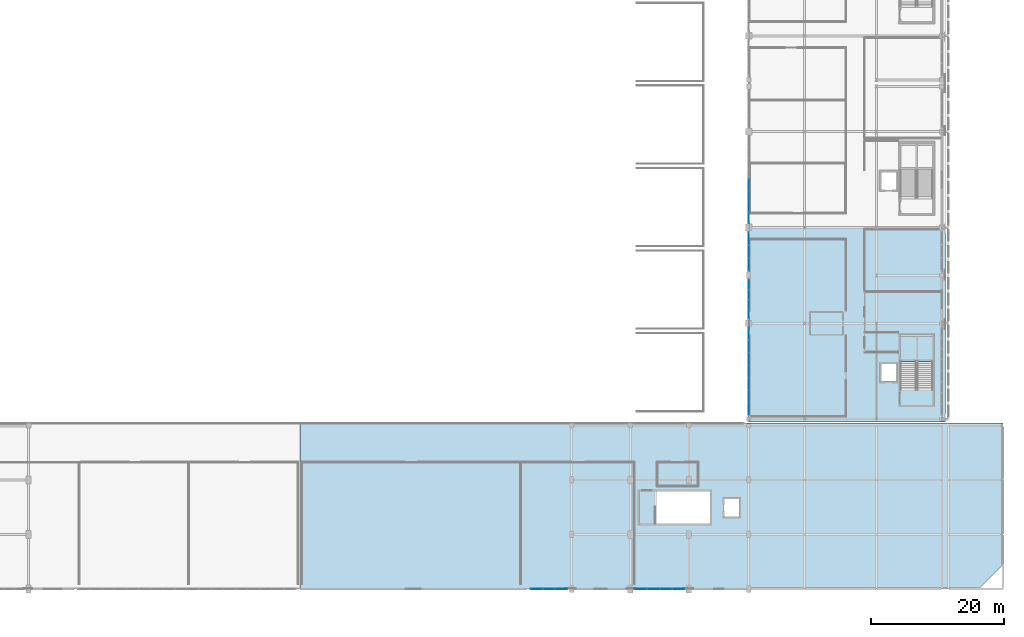
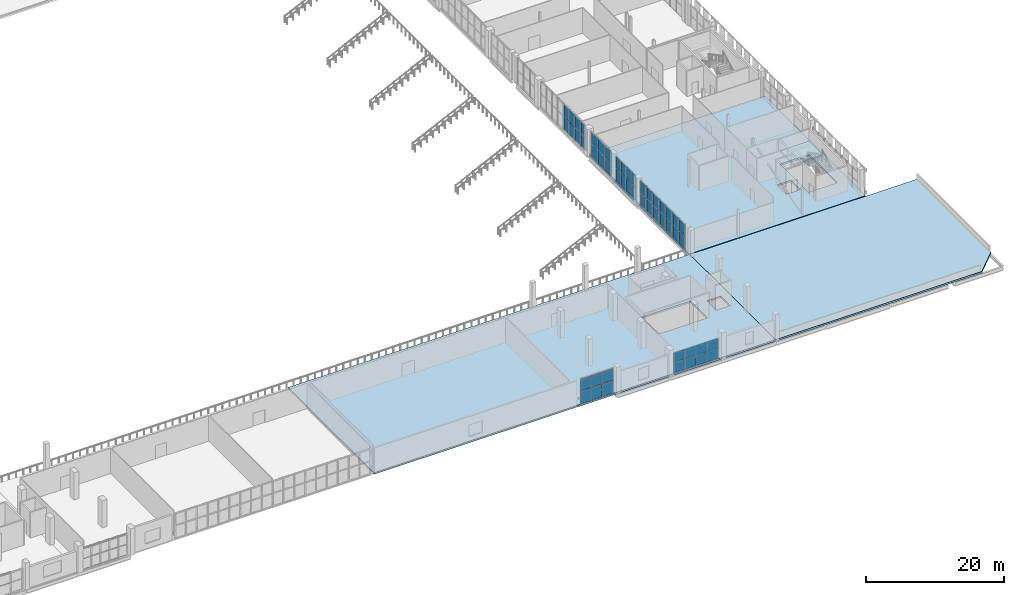
# One storey, part 57 of 104: 50 plates, 4 slabs, 7 elements without a shape of their own.
"""IFC4 building model written with IfcOpenShell, lengths in metres."""

from ifc_helpers import new_model, si_unit, direction, frame, origin, origin_2d, place, context, subcontext, project, spatial, polyline, rectangle, outline, extrude, material, layer, layer_set, type_object, element, aggregate, save


model = new_model("IFC4")

# Units and contexts
model_context = context("Model", 3, precision=1e-05, world=origin(), true_north=direction((0.0, 1.0)))
body_context = subcontext(model_context, "Body", "Model", "MODEL_VIEW")
ifc_project = project(units=[si_unit("LENGTHUNIT", "METRE"), si_unit("AREAUNIT", "SQUARE_METRE"), si_unit("VOLUMEUNIT", "CUBIC_METRE"), si_unit("PLANEANGLEUNIT", "RADIAN"), si_unit("MASSUNIT", "GRAM", prefix="KILO")], contexts=[model_context])

# Site, building, storey
site_placement = place(None, origin())
site = spatial("IfcSite", under=ifc_project, at=site_placement, CompositionType="ELEMENT")
building_placement = place(site_placement, origin())
building = spatial("IfcBuilding", under=site, at=building_placement, Name="Koshinbarg Plaza Stadium", CompositionType="ELEMENT")
storey_placement = place(building_placement, frame((0.0, 0.0, 19.800048828125)))
storey = spatial("IfcBuildingStorey", under=building, at=storey_placement, Name="L04", CompositionType="ELEMENT", Elevation=19.800048828125)

# Curtain wall, plates
ifc_material_1 = material(Name="Thermally broken anodised aluminium and low-E double glazing", Category="aluminium")
curtain_wall_type_1 = type_object("IfcCurtainWallType", Name="CW-SYS-11", PredefinedType="NOTDEFINED", material=ifc_material_1)
curtain_wall_1_placement = place(storey_placement, origin())
curtain_wall_1 = element("IfcCurtainWall", 1, at=curtain_wall_1_placement, inside=storey, type_object=curtain_wall_type_1, Name="L04 unitised curtain wall CW-L04-106", PredefinedType="NOTDEFINED")
ifc_material_2 = material(Name="Solar-control low-E double glazing unit", Category="glass")
ifc_layer_1 = layer(ifc_material_2, 0.028076171875)
ifc_layer_set_1 = layer_set([ifc_layer_1], Name="Solar-control low-E double glazing unit")
plate_type_1 = type_object("IfcPlateType", Name="CW-PNL-28", PredefinedType="CURTAIN_PANEL", material=ifc_layer_set_1)
plate_1_placement = place(storey_placement, frame((161.23828125, 0.0, 0.06005859375), z_axis=(0.0, 0.0, 1.0), x_axis=(-1.0, 0.0, 0.0)))
plate_1 = element("IfcPlate", 2, at=plate_1_placement, type_object=plate_type_1, Name="CW11 panel 1.1", PredefinedType="CURTAIN_PANEL", context=body_context, shape_type="SweptSolid", body=[
    extrude(rectangle(XDim=1.763427734375, YDim=0.028076171875, at=origin_2d()), origin(), (0.0, 0.0, 1.0), 2.239501953125),
])
plate_2_placement = place(storey_placement, frame((161.23828125, 0.0, 2.359375), z_axis=(0.0, 0.0, 1.0), x_axis=(-1.0, 0.0, 0.0)))
plate_2 = element("IfcPlate", 3, at=plate_2_placement, type_object=plate_type_1, Name="CW11 panel 1.2", PredefinedType="CURTAIN_PANEL", context=body_context, shape_type="SweptSolid", body=[
    extrude(rectangle(XDim=1.763427734375, YDim=0.028076171875, at=origin_2d()), origin(), (0.0, 0.0, 1.0), 2.060302734375),
])
plate_3_placement = place(storey_placement, frame((159.39990234375, 0.0, 0.06005859375), z_axis=(0.0, 0.0, 1.0), x_axis=(-1.0, 0.0, 0.0)))
plate_3 = element("IfcPlate", 4, at=plate_3_placement, type_object=plate_type_1, Name="CW11 panel 2.1", PredefinedType="CURTAIN_PANEL", context=body_context, shape_type="SweptSolid", body=[
    extrude(rectangle(XDim=1.793212890625, YDim=0.028076171875, at=origin_2d()), origin(), (0.0, 0.0, 1.0), 2.239501953125),
])
plate_4_placement = place(storey_placement, frame((159.39990234375, 0.0, 2.359375), z_axis=(0.0, 0.0, 1.0), x_axis=(-1.0, 0.0, 0.0)))
plate_4 = element("IfcPlate", 5, at=plate_4_placement, type_object=plate_type_1, Name="CW11 panel 2.2", PredefinedType="CURTAIN_PANEL", context=body_context, shape_type="SweptSolid", body=[
    extrude(rectangle(XDim=1.793212890625, YDim=0.028076171875, at=origin_2d()), origin(), (0.0, 0.0, 1.0), 2.060302734375),
])
plate_5_placement = place(storey_placement, frame((157.561767578125, 0.0, 0.06005859375), z_axis=(0.0, 0.0, 1.0), x_axis=(-1.0, 0.0, 0.0)))
plate_5 = element("IfcPlate", 6, at=plate_5_placement, type_object=plate_type_1, Name="CW11 panel 3.1", PredefinedType="CURTAIN_PANEL", context=body_context, shape_type="SweptSolid", body=[
    extrude(rectangle(XDim=1.763427734375, YDim=0.028076171875, at=origin_2d()), origin(), (0.0, 0.0, 1.0), 2.239501953125),
])
plate_6_placement = place(storey_placement, frame((157.561767578125, 0.0, 2.359375), z_axis=(0.0, 0.0, 1.0), x_axis=(-1.0, 0.0, 0.0)))
plate_6 = element("IfcPlate", 7, at=plate_6_placement, type_object=plate_type_1, Name="CW11 panel 3.2", PredefinedType="CURTAIN_PANEL", context=body_context, shape_type="SweptSolid", body=[
    extrude(rectangle(XDim=1.763427734375, YDim=0.028076171875, at=origin_2d()), origin(), (0.0, 0.0, 1.0), 2.060302734375),
])
aggregate(curtain_wall_1, [plate_1, plate_2, plate_3, plate_4, plate_5, plate_6])

curtain_wall_2_placement = place(storey_placement, origin())
curtain_wall_2 = element("IfcCurtainWall", 8, at=curtain_wall_2_placement, inside=storey, type_object=curtain_wall_type_1, Name="L04 unitised curtain wall CW-L04-122", PredefinedType="NOTDEFINED")
plate_7_placement = place(storey_placement, frame((189.39990234375, 41.280029296875, 0.06005859375), z_axis=(0.0, 0.0, 1.0), x_axis=(0.0, 1.0, 0.0)))
plate_7 = element("IfcPlate", 9, at=plate_7_placement, type_object=plate_type_1, Name="CW11 panel 1.1", PredefinedType="CURTAIN_PANEL", context=body_context, shape_type="SweptSolid", body=[
    extrude(rectangle(XDim=1.39990234375, YDim=0.028076171875, at=origin_2d()), origin(), (0.0, 0.0, 1.0), 2.239501953125),
])
plate_8_placement = place(storey_placement, frame((189.39990234375, 41.280029296875, 2.359375), z_axis=(0.0, 0.0, 1.0), x_axis=(0.0, 1.0, 0.0)))
plate_8 = element("IfcPlate", 10, at=plate_8_placement, type_object=plate_type_1, Name="CW11 panel 1.2", PredefinedType="CURTAIN_PANEL", context=body_context, shape_type="SweptSolid", body=[
    extrude(rectangle(XDim=1.39990234375, YDim=0.028076171875, at=origin_2d()), origin(), (0.0, 0.0, 1.0), 2.060302734375),
])
plate_9_placement = place(storey_placement, frame((189.39990234375, 42.7548828125, 0.06005859375), z_axis=(0.0, 0.0, 1.0), x_axis=(0.0, 1.0, 0.0)))
plate_9 = element("IfcPlate", 11, at=plate_9_placement, type_object=plate_type_1, Name="CW11 panel 2.1", PredefinedType="CURTAIN_PANEL", context=body_context, shape_type="SweptSolid", body=[
    extrude(rectangle(XDim=1.429931640625, YDim=0.028076171875, at=origin_2d()), origin(), (0.0, 0.0, 1.0), 2.239501953125),
])
plate_10_placement = place(storey_placement, frame((189.39990234375, 42.7548828125, 2.359375), z_axis=(0.0, 0.0, 1.0), x_axis=(0.0, 1.0, 0.0)))
plate_10 = element("IfcPlate", 12, at=plate_10_placement, type_object=plate_type_1, Name="CW11 panel 2.2", PredefinedType="CURTAIN_PANEL", context=body_context, shape_type="SweptSolid", body=[
    extrude(rectangle(XDim=1.429931640625, YDim=0.028076171875, at=origin_2d()), origin(), (0.0, 0.0, 1.0), 2.060302734375),
])
plate_11_placement = place(storey_placement, frame((189.39990234375, 44.2451171875, 0.06005859375), z_axis=(0.0, 0.0, 1.0), x_axis=(0.0, 1.0, 0.0)))
plate_11 = element("IfcPlate", 13, at=plate_11_placement, type_object=plate_type_1, Name="CW11 panel 3.1", PredefinedType="CURTAIN_PANEL", context=body_context, shape_type="SweptSolid", body=[
    extrude(rectangle(XDim=1.429931640625, YDim=0.028076171875, at=origin_2d()), origin(), (0.0, 0.0, 1.0), 2.239501953125),
])
plate_12_placement = place(storey_placement, frame((189.39990234375, 44.2451171875, 2.359375), z_axis=(0.0, 0.0, 1.0), x_axis=(0.0, 1.0, 0.0)))
plate_12 = element("IfcPlate", 14, at=plate_12_placement, type_object=plate_type_1, Name="CW11 panel 3.2", PredefinedType="CURTAIN_PANEL", context=body_context, shape_type="SweptSolid", body=[
    extrude(rectangle(XDim=1.429931640625, YDim=0.028076171875, at=origin_2d()), origin(), (0.0, 0.0, 1.0), 2.060302734375),
])
plate_13_placement = place(storey_placement, frame((189.39990234375, 45.719970703125, 0.06005859375), z_axis=(0.0, 0.0, 1.0), x_axis=(0.0, 1.0, 0.0)))
plate_13 = element("IfcPlate", 15, at=plate_13_placement, type_object=plate_type_1, Name="CW11 panel 4.1", PredefinedType="CURTAIN_PANEL", context=body_context, shape_type="SweptSolid", body=[
    extrude(rectangle(XDim=1.39990234375, YDim=0.028076171875, at=origin_2d()), origin(), (0.0, 0.0, 1.0), 2.239501953125),
])
plate_14_placement = place(storey_placement, frame((189.39990234375, 45.719970703125, 2.359375), z_axis=(0.0, 0.0, 1.0), x_axis=(0.0, 1.0, 0.0)))
plate_14 = element("IfcPlate", 16, at=plate_14_placement, type_object=plate_type_1, Name="CW11 panel 4.2", PredefinedType="CURTAIN_PANEL", context=body_context, shape_type="SweptSolid", body=[
    extrude(rectangle(XDim=1.39990234375, YDim=0.028076171875, at=origin_2d()), origin(), (0.0, 0.0, 1.0), 2.060302734375),
])
aggregate(curtain_wall_2, [plate_7, plate_8, plate_9, plate_10, plate_11, plate_12, plate_13, plate_14])

curtain_wall_type_2 = type_object("IfcCurtainWallType", Name="CW-SYS-13", PredefinedType="NOTDEFINED", material=ifc_material_1)
curtain_wall_3_placement = place(storey_placement, origin())
curtain_wall_3 = element("IfcCurtainWall", 17, at=curtain_wall_3_placement, inside=storey, type_object=curtain_wall_type_2, Name="L04 unitised curtain wall CW-L04-124", PredefinedType="NOTDEFINED")
plate_15_placement = place(storey_placement, frame((189.39990234375, 55.757568359375, 0.06005859375), z_axis=(0.0, 0.0, 1.0), x_axis=(0.0, 1.0, 0.0)))
plate_15 = element("IfcPlate", 18, at=plate_15_placement, type_object=plate_type_1, Name="CW13 panel 1.1", PredefinedType="CURTAIN_PANEL", context=body_context, shape_type="SweptSolid", body=[
    extrude(rectangle(XDim=1.554931640625, YDim=0.028076171875, at=origin_2d()), origin(), (0.0, 0.0, 1.0), 2.239501953125),
])
plate_16_placement = place(storey_placement, frame((189.39990234375, 55.757568359375, 2.359375), z_axis=(0.0, 0.0, 1.0), x_axis=(0.0, 1.0, 0.0)))
plate_16 = element("IfcPlate", 19, at=plate_16_placement, type_object=plate_type_1, Name="CW13 panel 1.2", PredefinedType="CURTAIN_PANEL", context=body_context, shape_type="SweptSolid", body=[
    extrude(rectangle(XDim=1.554931640625, YDim=0.028076171875, at=origin_2d()), origin(), (0.0, 0.0, 1.0), 2.060302734375),
])
plate_17_placement = place(storey_placement, frame((189.39990234375, 57.387451171875, 0.06005859375), z_axis=(0.0, 0.0, 1.0), x_axis=(0.0, 1.0, 0.0)))
plate_17 = element("IfcPlate", 20, at=plate_17_placement, type_object=plate_type_1, Name="CW13 panel 2.1", PredefinedType="CURTAIN_PANEL", context=body_context, shape_type="SweptSolid", body=[
    extrude(rectangle(XDim=1.5849609375, YDim=0.028076171875, at=origin_2d()), origin(), (0.0, 0.0, 1.0), 2.239501953125),
])
plate_18_placement = place(storey_placement, frame((189.39990234375, 57.387451171875, 2.359375), z_axis=(0.0, 0.0, 1.0), x_axis=(0.0, 1.0, 0.0)))
plate_18 = element("IfcPlate", 21, at=plate_18_placement, type_object=plate_type_1, Name="CW13 panel 2.2", PredefinedType="CURTAIN_PANEL", context=body_context, shape_type="SweptSolid", body=[
    extrude(rectangle(XDim=1.5849609375, YDim=0.028076171875, at=origin_2d()), origin(), (0.0, 0.0, 1.0), 2.060302734375),
])
plate_19_placement = place(storey_placement, frame((189.39990234375, 59.032470703125, 0.06005859375), z_axis=(0.0, 0.0, 1.0), x_axis=(0.0, 1.0, 0.0)))
plate_19 = element("IfcPlate", 22, at=plate_19_placement, type_object=plate_type_1, Name="CW13 panel 3.1", PredefinedType="CURTAIN_PANEL", context=body_context, shape_type="SweptSolid", body=[
    extrude(rectangle(XDim=1.5849609375, YDim=0.028076171875, at=origin_2d()), origin(), (0.0, 0.0, 1.0), 2.239501953125),
])
plate_20_placement = place(storey_placement, frame((189.39990234375, 59.032470703125, 2.359375), z_axis=(0.0, 0.0, 1.0), x_axis=(0.0, 1.0, 0.0)))
plate_20 = element("IfcPlate", 23, at=plate_20_placement, type_object=plate_type_1, Name="CW13 panel 3.2", PredefinedType="CURTAIN_PANEL", context=body_context, shape_type="SweptSolid", body=[
    extrude(rectangle(XDim=1.5849609375, YDim=0.028076171875, at=origin_2d()), origin(), (0.0, 0.0, 1.0), 2.060302734375),
])
plate_21_placement = place(storey_placement, frame((189.39990234375, 60.677490234375, 0.06005859375), z_axis=(0.0, 0.0, 1.0), x_axis=(0.0, 1.0, 0.0)))
plate_21 = element("IfcPlate", 24, at=plate_21_placement, type_object=plate_type_1, Name="CW13 panel 4.1", PredefinedType="CURTAIN_PANEL", context=body_context, shape_type="SweptSolid", body=[
    extrude(rectangle(XDim=1.5849609375, YDim=0.028076171875, at=origin_2d()), origin(), (0.0, 0.0, 1.0), 2.239501953125),
])
plate_22_placement = place(storey_placement, frame((189.39990234375, 60.677490234375, 2.359375), z_axis=(0.0, 0.0, 1.0), x_axis=(0.0, 1.0, 0.0)))
plate_22 = element("IfcPlate", 25, at=plate_22_placement, type_object=plate_type_1, Name="CW13 panel 4.2", PredefinedType="CURTAIN_PANEL", context=body_context, shape_type="SweptSolid", body=[
    extrude(rectangle(XDim=1.5849609375, YDim=0.028076171875, at=origin_2d()), origin(), (0.0, 0.0, 1.0), 2.060302734375),
])
aggregate(curtain_wall_3, [plate_15, plate_16, plate_17, plate_18, plate_19, plate_20, plate_21, plate_22])

curtain_wall_type_3 = type_object("IfcCurtainWallType", Name="CW-SYS-10", PredefinedType="NOTDEFINED", material=ifc_material_1)
curtain_wall_4_placement = place(storey_placement, origin())
curtain_wall_4 = element("IfcCurtainWall", 26, at=curtain_wall_4_placement, inside=storey, type_object=curtain_wall_type_3, Name="L04 unitised curtain wall CW-L04-105", PredefinedType="NOTDEFINED")
ifc_material_3 = material(Name="Acoustic solar-control double glazing unit", Category="glass")
ifc_layer_2 = layer(ifc_material_3, 0.031982421875)
ifc_layer_set_2 = layer_set([ifc_layer_2], Name="Acoustic solar-control double glazing unit")
plate_type_2 = type_object("IfcPlateType", Name="CW-PNL-32", PredefinedType="CURTAIN_PANEL", material=ifc_layer_set_2)
plate_23_placement = place(storey_placement, frame((178.820068359375, 0.0, 0.06005859375), z_axis=(0.0, 0.0, 1.0), x_axis=(-1.0, 0.0, 0.0)))
plate_23 = element("IfcPlate", 27, at=plate_23_placement, type_object=plate_type_2, Name="CW10 panel 1.1", PredefinedType="CURTAIN_PANEL", context=body_context, shape_type="SweptSolid", body=[
    extrude(rectangle(XDim=1.800048828125, YDim=0.031982421875, at=origin_2d()), origin(), (0.0, 0.0, 1.0), 1.823486328125),
])
plate_24_placement = place(storey_placement, frame((178.820068359375, 0.0, 1.943359375), z_axis=(0.0, 0.0, 1.0), x_axis=(-1.0, 0.0, 0.0)))
plate_24 = element("IfcPlate", 28, at=plate_24_placement, type_object=plate_type_2, Name="CW10 panel 1.2", PredefinedType="CURTAIN_PANEL", context=body_context, shape_type="SweptSolid", body=[
    extrude(rectangle(XDim=1.800048828125, YDim=0.031982421875, at=origin_2d()), origin(), (0.0, 0.0, 1.0), 1.676513671875),
])
plate_25_placement = place(storey_placement, frame((176.945068359375, 0.0, 0.06005859375), z_axis=(0.0, 0.0, 1.0), x_axis=(-1.0, 0.0, 0.0)))
plate_25 = element("IfcPlate", 29, at=plate_25_placement, type_object=plate_type_2, Name="CW10 panel 2.1", PredefinedType="CURTAIN_PANEL", context=body_context, shape_type="SweptSolid", body=[
    extrude(rectangle(XDim=1.830078125, YDim=0.031982421875, at=origin_2d()), origin(), (0.0, 0.0, 1.0), 1.823486328125),
])
plate_26_placement = place(storey_placement, frame((176.945068359375, 0.0, 1.943359375), z_axis=(0.0, 0.0, 1.0), x_axis=(-1.0, 0.0, 0.0)))
plate_26 = element("IfcPlate", 30, at=plate_26_placement, type_object=plate_type_2, Name="CW10 panel 2.2", PredefinedType="CURTAIN_PANEL", context=body_context, shape_type="SweptSolid", body=[
    extrude(rectangle(XDim=1.830078125, YDim=0.031982421875, at=origin_2d()), origin(), (0.0, 0.0, 1.0), 1.676513671875),
])
plate_27_placement = place(storey_placement, frame((175.054931640625, 0.0, 0.06005859375), z_axis=(0.0, 0.0, 1.0), x_axis=(-1.0, 0.0, 0.0)))
plate_27 = element("IfcPlate", 31, at=plate_27_placement, type_object=plate_type_2, Name="CW10 panel 3.1", PredefinedType="CURTAIN_PANEL", context=body_context, shape_type="SweptSolid", body=[
    extrude(rectangle(XDim=1.830078125, YDim=0.031982421875, at=origin_2d()), origin(), (0.0, 0.0, 1.0), 1.823486328125),
])
plate_28_placement = place(storey_placement, frame((175.054931640625, 0.0, 1.943359375), z_axis=(0.0, 0.0, 1.0), x_axis=(-1.0, 0.0, 0.0)))
plate_28 = element("IfcPlate", 32, at=plate_28_placement, type_object=plate_type_2, Name="CW10 panel 3.2", PredefinedType="CURTAIN_PANEL", context=body_context, shape_type="SweptSolid", body=[
    extrude(rectangle(XDim=1.830078125, YDim=0.031982421875, at=origin_2d()), origin(), (0.0, 0.0, 1.0), 1.676513671875),
])
plate_29_placement = place(storey_placement, frame((173.179931640625, 0.0, 0.06005859375), z_axis=(0.0, 0.0, 1.0), x_axis=(-1.0, 0.0, 0.0)))
plate_29 = element("IfcPlate", 33, at=plate_29_placement, type_object=plate_type_2, Name="CW10 panel 4.1", PredefinedType="CURTAIN_PANEL", context=body_context, shape_type="SweptSolid", body=[
    extrude(rectangle(XDim=1.800048828125, YDim=0.031982421875, at=origin_2d()), origin(), (0.0, 0.0, 1.0), 1.823486328125),
])
plate_30_placement = place(storey_placement, frame((173.179931640625, 0.0, 1.943359375), z_axis=(0.0, 0.0, 1.0), x_axis=(-1.0, 0.0, 0.0)))
plate_30 = element("IfcPlate", 34, at=plate_30_placement, type_object=plate_type_2, Name="CW10 panel 4.2", PredefinedType="CURTAIN_PANEL", context=body_context, shape_type="SweptSolid", body=[
    extrude(rectangle(XDim=1.800048828125, YDim=0.031982421875, at=origin_2d()), origin(), (0.0, 0.0, 1.0), 1.676513671875),
])
aggregate(curtain_wall_4, [plate_23, plate_24, plate_25, plate_26, plate_27, plate_28, plate_29, plate_30])

curtain_wall_5_placement = place(storey_placement, origin())
curtain_wall_5 = element("IfcCurtainWall", 35, at=curtain_wall_5_placement, inside=storey, type_object=curtain_wall_type_3, Name="L04 unitised curtain wall CW-L04-121", PredefinedType="NOTDEFINED")
plate_31_placement = place(storey_placement, frame((189.39990234375, 27.074951171875, 0.06005859375), z_axis=(0.0, 0.0, 1.0), x_axis=(0.0, 1.0, 0.0)))
plate_31 = element("IfcPlate", 36, at=plate_31_placement, type_object=plate_type_2, Name="CW10 panel 1.1", PredefinedType="CURTAIN_PANEL", context=body_context, shape_type="SweptSolid", body=[
    extrude(rectangle(XDim=1.7900390625, YDim=0.031982421875, at=origin_2d()), origin(), (0.0, 0.0, 1.0), 2.239501953125),
])
plate_32_placement = place(storey_placement, frame((189.39990234375, 27.074951171875, 2.359375), z_axis=(0.0, 0.0, 1.0), x_axis=(0.0, 1.0, 0.0)))
plate_32 = element("IfcPlate", 37, at=plate_32_placement, type_object=plate_type_2, Name="CW10 panel 1.2", PredefinedType="CURTAIN_PANEL", context=body_context, shape_type="SweptSolid", body=[
    extrude(rectangle(XDim=1.7900390625, YDim=0.031982421875, at=origin_2d()), origin(), (0.0, 0.0, 1.0), 2.060302734375),
])
plate_33_placement = place(storey_placement, frame((189.39990234375, 28.93994140625, 0.06005859375), z_axis=(0.0, 0.0, 1.0), x_axis=(0.0, 1.0, 0.0)))
plate_33 = element("IfcPlate", 38, at=plate_33_placement, type_object=plate_type_2, Name="CW10 panel 2.1", PredefinedType="CURTAIN_PANEL", context=body_context, shape_type="SweptSolid", body=[
    extrude(rectangle(XDim=1.820068359375, YDim=0.031982421875, at=origin_2d()), origin(), (0.0, 0.0, 1.0), 2.239501953125),
])
plate_34_placement = place(storey_placement, frame((189.39990234375, 28.93994140625, 2.359375), z_axis=(0.0, 0.0, 1.0), x_axis=(0.0, 1.0, 0.0)))
plate_34 = element("IfcPlate", 39, at=plate_34_placement, type_object=plate_type_2, Name="CW10 panel 2.2", PredefinedType="CURTAIN_PANEL", context=body_context, shape_type="SweptSolid", body=[
    extrude(rectangle(XDim=1.820068359375, YDim=0.031982421875, at=origin_2d()), origin(), (0.0, 0.0, 1.0), 2.060302734375),
])
plate_35_placement = place(storey_placement, frame((189.39990234375, 30.820068359375, 0.06005859375), z_axis=(0.0, 0.0, 1.0), x_axis=(0.0, 1.0, 0.0)))
plate_35 = element("IfcPlate", 40, at=plate_35_placement, type_object=plate_type_2, Name="CW10 panel 3.1", PredefinedType="CURTAIN_PANEL", context=body_context, shape_type="SweptSolid", body=[
    extrude(rectangle(XDim=1.820068359375, YDim=0.031982421875, at=origin_2d()), origin(), (0.0, 0.0, 1.0), 2.239501953125),
])
plate_36_placement = place(storey_placement, frame((189.39990234375, 30.820068359375, 2.359375), z_axis=(0.0, 0.0, 1.0), x_axis=(0.0, 1.0, 0.0)))
plate_36 = element("IfcPlate", 41, at=plate_36_placement, type_object=plate_type_2, Name="CW10 panel 3.2", PredefinedType="CURTAIN_PANEL", context=body_context, shape_type="SweptSolid", body=[
    extrude(rectangle(XDim=1.820068359375, YDim=0.031982421875, at=origin_2d()), origin(), (0.0, 0.0, 1.0), 2.060302734375),
])
plate_37_placement = place(storey_placement, frame((189.39990234375, 32.699951171875, 0.06005859375), z_axis=(0.0, 0.0, 1.0), x_axis=(0.0, 1.0, 0.0)))
plate_37 = element("IfcPlate", 42, at=plate_37_placement, type_object=plate_type_2, Name="CW10 panel 4.1", PredefinedType="CURTAIN_PANEL", context=body_context, shape_type="SweptSolid", body=[
    extrude(rectangle(XDim=1.820068359375, YDim=0.031982421875, at=origin_2d()), origin(), (0.0, 0.0, 1.0), 2.239501953125),
])
plate_38_placement = place(storey_placement, frame((189.39990234375, 32.699951171875, 2.359375), z_axis=(0.0, 0.0, 1.0), x_axis=(0.0, 1.0, 0.0)))
plate_38 = element("IfcPlate", 43, at=plate_38_placement, type_object=plate_type_2, Name="CW10 panel 4.2", PredefinedType="CURTAIN_PANEL", context=body_context, shape_type="SweptSolid", body=[
    extrude(rectangle(XDim=1.820068359375, YDim=0.031982421875, at=origin_2d()), origin(), (0.0, 0.0, 1.0), 2.060302734375),
])
plate_39_placement = place(storey_placement, frame((189.39990234375, 34.580078125, 0.06005859375), z_axis=(0.0, 0.0, 1.0), x_axis=(0.0, 1.0, 0.0)))
plate_39 = element("IfcPlate", 44, at=plate_39_placement, type_object=plate_type_2, Name="CW10 panel 5.1", PredefinedType="CURTAIN_PANEL", context=body_context, shape_type="SweptSolid", body=[
    extrude(rectangle(XDim=1.820068359375, YDim=0.031982421875, at=origin_2d()), origin(), (0.0, 0.0, 1.0), 2.239501953125),
])
plate_40_placement = place(storey_placement, frame((189.39990234375, 34.580078125, 2.359375), z_axis=(0.0, 0.0, 1.0), x_axis=(0.0, 1.0, 0.0)))
plate_40 = element("IfcPlate", 45, at=plate_40_placement, type_object=plate_type_2, Name="CW10 panel 5.2", PredefinedType="CURTAIN_PANEL", context=body_context, shape_type="SweptSolid", body=[
    extrude(rectangle(XDim=1.820068359375, YDim=0.031982421875, at=origin_2d()), origin(), (0.0, 0.0, 1.0), 2.060302734375),
])
plate_41_placement = place(storey_placement, frame((189.39990234375, 36.4599609375, 0.06005859375), z_axis=(0.0, 0.0, 1.0), x_axis=(0.0, 1.0, 0.0)))
plate_41 = element("IfcPlate", 46, at=plate_41_placement, type_object=plate_type_2, Name="CW10 panel 6.1", PredefinedType="CURTAIN_PANEL", context=body_context, shape_type="SweptSolid", body=[
    extrude(rectangle(XDim=1.820068359375, YDim=0.031982421875, at=origin_2d()), origin(), (0.0, 0.0, 1.0), 2.239501953125),
])
plate_42_placement = place(storey_placement, frame((189.39990234375, 36.4599609375, 2.359375), z_axis=(0.0, 0.0, 1.0), x_axis=(0.0, 1.0, 0.0)))
plate_42 = element("IfcPlate", 47, at=plate_42_placement, type_object=plate_type_2, Name="CW10 panel 6.2", PredefinedType="CURTAIN_PANEL", context=body_context, shape_type="SweptSolid", body=[
    extrude(rectangle(XDim=1.820068359375, YDim=0.031982421875, at=origin_2d()), origin(), (0.0, 0.0, 1.0), 2.060302734375),
])
plate_43_placement = place(storey_placement, frame((189.39990234375, 38.324951171875, 0.06005859375), z_axis=(0.0, 0.0, 1.0), x_axis=(0.0, 1.0, 0.0)))
plate_43 = element("IfcPlate", 48, at=plate_43_placement, type_object=plate_type_2, Name="CW10 panel 7.1", PredefinedType="CURTAIN_PANEL", context=body_context, shape_type="SweptSolid", body=[
    extrude(rectangle(XDim=1.7900390625, YDim=0.031982421875, at=origin_2d()), origin(), (0.0, 0.0, 1.0), 2.239501953125),
])
plate_44_placement = place(storey_placement, frame((189.39990234375, 38.324951171875, 2.359375), z_axis=(0.0, 0.0, 1.0), x_axis=(0.0, 1.0, 0.0)))
plate_44 = element("IfcPlate", 49, at=plate_44_placement, type_object=plate_type_2, Name="CW10 panel 7.2", PredefinedType="CURTAIN_PANEL", context=body_context, shape_type="SweptSolid", body=[
    extrude(rectangle(XDim=1.7900390625, YDim=0.031982421875, at=origin_2d()), origin(), (0.0, 0.0, 1.0), 2.060302734375),
])
aggregate(curtain_wall_5, [plate_31, plate_32, plate_33, plate_34, plate_35, plate_36, plate_37, plate_38, plate_39, plate_40, plate_41, plate_42, plate_43, plate_44])

curtain_wall_type_4 = type_object("IfcCurtainWallType", Name="CW-SYS-12", PredefinedType="NOTDEFINED", material=ifc_material_1)
curtain_wall_6_placement = place(storey_placement, origin())
curtain_wall_6 = element("IfcCurtainWall", 50, at=curtain_wall_6_placement, inside=storey, type_object=curtain_wall_type_4, Name="L04 unitised curtain wall CW-L04-123", PredefinedType="NOTDEFINED")
plate_45_placement = place(storey_placement, frame((189.39990234375, 48.728271484375, 0.06005859375), z_axis=(0.0, 0.0, 1.0), x_axis=(0.0, 1.0, 0.0)))
plate_45 = element("IfcPlate", 51, at=plate_45_placement, type_object=plate_type_2, Name="CW12 panel 1.1", PredefinedType="CURTAIN_PANEL", context=body_context, shape_type="SweptSolid", body=[
    extrude(rectangle(XDim=1.896728515625, YDim=0.031982421875, at=origin_2d()), origin(), (0.0, 0.0, 1.0), 2.239501953125),
])
plate_46_placement = place(storey_placement, frame((189.39990234375, 48.728271484375, 2.359375), z_axis=(0.0, 0.0, 1.0), x_axis=(0.0, 1.0, 0.0)))
plate_46 = element("IfcPlate", 52, at=plate_46_placement, type_object=plate_type_2, Name="CW12 panel 1.2", PredefinedType="CURTAIN_PANEL", context=body_context, shape_type="SweptSolid", body=[
    extrude(rectangle(XDim=1.896728515625, YDim=0.031982421875, at=origin_2d()), origin(), (0.0, 0.0, 1.0), 2.060302734375),
])
plate_47_placement = place(storey_placement, frame((189.39990234375, 50.699951171875, 0.06005859375), z_axis=(0.0, 0.0, 1.0), x_axis=(0.0, 1.0, 0.0)))
plate_47 = element("IfcPlate", 53, at=plate_47_placement, type_object=plate_type_2, Name="CW12 panel 2.1", PredefinedType="CURTAIN_PANEL", context=body_context, shape_type="SweptSolid", body=[
    extrude(rectangle(XDim=1.9267578125, YDim=0.031982421875, at=origin_2d()), origin(), (0.0, 0.0, 1.0), 2.239501953125),
])
plate_48_placement = place(storey_placement, frame((189.39990234375, 50.699951171875, 2.359375), z_axis=(0.0, 0.0, 1.0), x_axis=(0.0, 1.0, 0.0)))
plate_48 = element("IfcPlate", 54, at=plate_48_placement, type_object=plate_type_2, Name="CW12 panel 2.2", PredefinedType="CURTAIN_PANEL", context=body_context, shape_type="SweptSolid", body=[
    extrude(rectangle(XDim=1.9267578125, YDim=0.031982421875, at=origin_2d()), origin(), (0.0, 0.0, 1.0), 2.060302734375),
])
plate_49_placement = place(storey_placement, frame((189.39990234375, 52.671630859375, 0.06005859375), z_axis=(0.0, 0.0, 1.0), x_axis=(0.0, 1.0, 0.0)))
plate_49 = element("IfcPlate", 55, at=plate_49_placement, type_object=plate_type_2, Name="CW12 panel 3.1", PredefinedType="CURTAIN_PANEL", context=body_context, shape_type="SweptSolid", body=[
    extrude(rectangle(XDim=1.896728515625, YDim=0.031982421875, at=origin_2d()), origin(), (0.0, 0.0, 1.0), 2.239501953125),
])
plate_50_placement = place(storey_placement, frame((189.39990234375, 52.671630859375, 2.359375), z_axis=(0.0, 0.0, 1.0), x_axis=(0.0, 1.0, 0.0)))
plate_50 = element("IfcPlate", 56, at=plate_50_placement, type_object=plate_type_2, Name="CW12 panel 3.2", PredefinedType="CURTAIN_PANEL", context=body_context, shape_type="SweptSolid", body=[
    extrude(rectangle(XDim=1.896728515625, YDim=0.031982421875, at=origin_2d()), origin(), (0.0, 0.0, 1.0), 2.060302734375),
])
aggregate(curtain_wall_6, [plate_45, plate_46, plate_47, plate_48, plate_49, plate_50])

# Slabs
ifc_material_4 = material(Name="Concrete C35/45", Category="concrete")
ifc_layer_3 = layer(ifc_material_4, 0.300048828125)
ifc_layer_set_3 = layer_set([ifc_layer_3], Name="Concrete C35/45")
slab_type_1 = type_object("IfcSlabType", Name="SL-FLATROOF-260", PredefinedType="ROOF", material=ifc_layer_set_3)
slab_1_placement = place(storey_placement, frame((0.0, 0.0, -0.300048828125)))
element("IfcSlab", 57, at=slab_1_placement, inside=storey, type_object=slab_type_1, Name="L04 pavilion flat roof slab RF-V4-STEP3", PredefinedType="ROOF", context=body_context, shape_type="SweptSolid", body=[
    extrude(outline(polyline([(189.39990234375, 0.0), (224.0, 0.0), (227.60009765625, 3.60009765625), (227.60009765625, 24.955078125), (189.39990234375, 24.955078125), (189.39990234375, 0.0)])), origin(), (0.0, 0.0, 1.0), 0.300048828125),
])
ifc_layer_4 = layer(ifc_material_4, 0.300048828125)
ifc_layer_set_4 = layer_set([ifc_layer_4], Name="Concrete C35/45")
slab_type_2 = type_object("IfcSlabType", Name="SL-FLR-300", PredefinedType="FLOOR", material=ifc_layer_set_4)
slab_2_placement = place(storey_placement, frame((0.0, 0.0, -0.300048828125)))
element("IfcSlab", 58, at=slab_2_placement, inside=storey, type_object=slab_type_2, Name="L04 V2 structural slab 5", PredefinedType="FLOOR", context=body_context, shape_type="SweptSolid", body=[
    extrude(outline(polyline([(189.39990234375, 25.044921875), (218.955078125, 25.044921875), (218.955078125, 54.300048828125), (189.39990234375, 54.300048828125), (189.39990234375, 25.044921875)]), holes=[polyline([(217.070068359375, 29.9599609375), (217.070068359375, 38.199951171875), (212.199951171875, 38.199951171875), (212.199951171875, 29.9599609375), (217.070068359375, 29.9599609375)]), polyline([(209.25, 31.14990234375), (211.550048828125, 31.14990234375), (211.550048828125, 33.85009765625), (209.25, 33.85009765625), (209.25, 31.14990234375)])]), origin(), (0.0, 0.0, 1.0), 0.300048828125),
])
slab_3_placement = place(storey_placement, frame((0.0, 0.0, -0.300048828125)))
element("IfcSlab", 59, at=slab_3_placement, inside=storey, type_object=slab_type_2, Name="L04 V4 structural slab 11", PredefinedType="FLOOR", context=body_context, shape_type="SweptSolid", body=[
    extrude(outline(polyline([(122.0, 0.0), (189.39990234375, 0.0), (189.39990234375, 24.955078125), (122.0, 24.955078125), (122.0, 0.0)]), holes=[polyline([(175.360107421875, 9.800048828125), (183.60009765625, 9.800048828125), (183.60009765625, 14.669921875), (175.360107421875, 14.669921875), (175.360107421875, 9.800048828125)]), polyline([(185.699951171875, 10.85009765625), (188.0, 10.85009765625), (188.0, 13.550048828125), (185.699951171875, 13.550048828125), (185.699951171875, 10.85009765625)])]), origin(), (0.0, 0.0, 1.0), 0.300048828125),
])

# Stair, slab
stair_type = type_object("IfcStairType", Name="ST-CORE-48", PredefinedType="HALF_TURN_STAIR", material=ifc_material_4)
stair_placement = place(storey_placement, origin())
stair = element("IfcStair", 60, at=stair_placement, inside=storey, type_object=stair_type, Name="L04 Protected Exit Stair C07", PredefinedType="HALF_TURN_STAIR")
ifc_layer_5 = layer(ifc_material_4, 0.320068359375)
ifc_layer_set_5 = layer_set([ifc_layer_5], Name="Concrete C35/45")
slab_type_3 = type_object("IfcSlabType", Name="SL-STLAND-280", PredefinedType="LANDING", material=ifc_layer_set_5)
slab_4_placement = place(storey_placement, frame((0.0, 0.0, 2.079833984375)))
slab_4 = element("IfcSlab", 61, at=slab_4_placement, type_object=slab_type_3, Name="L04 Protected Exit Stair C07 landing 041", PredefinedType="LANDING", context=body_context, shape_type="SweptSolid", body=[
    extrude(outline(polyline([(217.070068359375, 34.159912109375), (217.070068359375, 38.199951171875), (212.199951171875, 38.199951171875), (212.199951171875, 34.159912109375), (217.070068359375, 34.159912109375)])), origin(), (0.0, 0.0, 1.0), 0.320068359375),
])
aggregate(stair, [slab_4])

save(model, "model.ifc")
